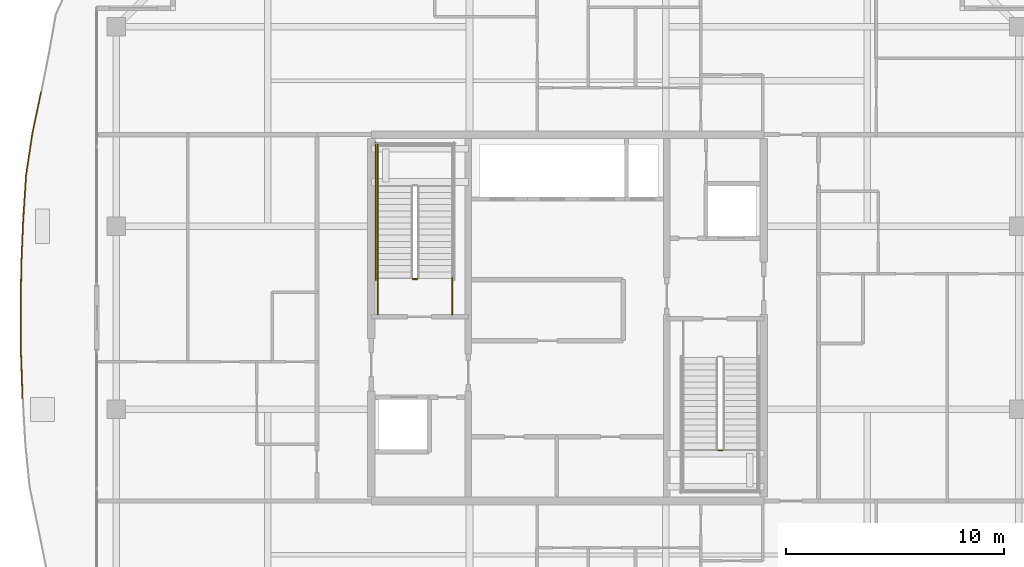
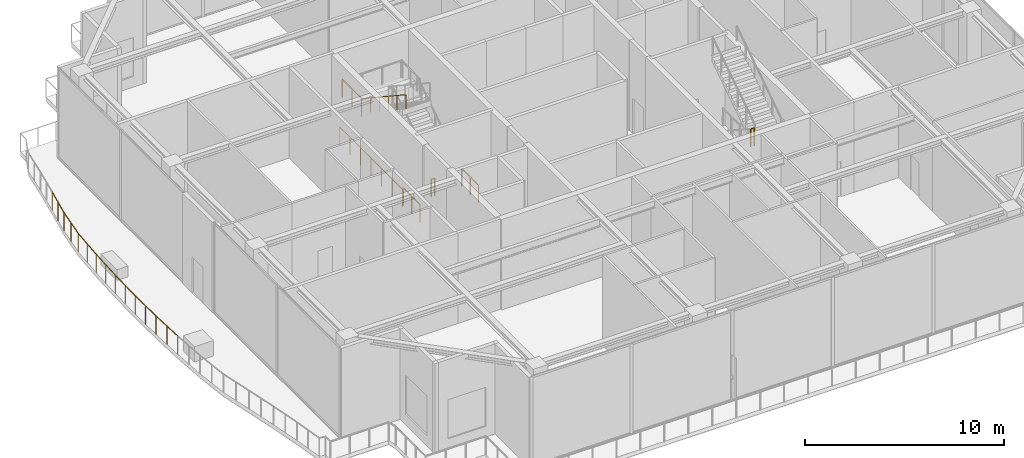
# One storey, part 34 of 38: 8 railings.
"""IFC4 building model written with IfcOpenShell, lengths in metres."""

from ifc_helpers import new_model, si_unit, direction, frame, origin, origin_2d, place, context, subcontext, project, spatial, circle, extrude, material, type_object, element, save


model = new_model("IFC4")

# Units and contexts
model_context = context("Model", 3, precision=1e-05, world=origin(), true_north=direction((0.0, 1.0)))
body_context = subcontext(model_context, "Body", "Model", "MODEL_VIEW")
ifc_project = project(units=[si_unit("LENGTHUNIT", "METRE"), si_unit("AREAUNIT", "SQUARE_METRE"), si_unit("VOLUMEUNIT", "CUBIC_METRE"), si_unit("PLANEANGLEUNIT", "RADIAN"), si_unit("MASSUNIT", "GRAM", prefix="KILO")], contexts=[model_context])

# Site, building, storey
site_placement = place(None, origin())
site = spatial("IfcSite", under=ifc_project, at=site_placement, CompositionType="ELEMENT")
building_placement = place(site_placement, origin())
building = spatial("IfcBuilding", under=site, at=building_placement, Name="Serunith Strait Residences", CompositionType="ELEMENT")
storey_placement = place(building_placement, frame((0.0, 0.0, 353.85009765625)))
storey = spatial("IfcBuildingStorey", under=building, at=storey_placement, Name="L87", CompositionType="ELEMENT", Elevation=353.85009765625)

# Railings
ifc_material_1 = material(Name="Stainless Steel & Laminated Glass Balustrade", Category="steel")
railing_type_1 = type_object("IfcRailingType", Name="RLG-BALC-1150", PredefinedType="BALUSTRADE", material=ifc_material_1)
railing_1_placement = place(storey_placement, frame((7.3984375, 21.45751953125, -0.050048828125)))
element("IfcRailing", 1, at=railing_1_placement, inside=storey, type_object=railing_type_1, Name="L87 Swirling Balcony Perimeter Balustrade 2", PredefinedType="BALUSTRADE", context=body_context, shape_type="SweptSolid", body=[
    extrude(circle(Radius=0.02392578125, at=origin_2d()), frame((0.0, 0.001953125, 1.1259765625), z_axis=(-0.034478598931, 0.999405436355, 0.0), x_axis=(-0.999405436355, -0.034478598931, 0.0)), (0.0, 0.0, 1.0), 2.056640625),
    extrude(circle(Radius=0.02392578125, at=origin_2d()), frame((-0.071044921875, 2.061279296875, 1.1259765625), z_axis=(-0.009433542483, 0.999955503148, 0.0), x_axis=(-0.999955503148, -0.009433542483, 0.0)), (0.0, 0.0, 1.0), 2.06640625),
    extrude(circle(Radius=0.02392578125, at=origin_2d()), frame((-0.090576171875, 4.131591796875, 1.1259765625), z_axis=(0.016404779878, 0.999865432544, 0.0), x_axis=(-0.999865432544, 0.016404779878, 0.0)), (0.0, 0.0, 1.0), 2.064697265625),
    extrude(circle(Radius=0.02392578125, at=origin_2d()), frame((-0.056640625, 6.199951171875, 1.1259765625), z_axis=(0.041576193993, 0.999135336225, 0.0), x_axis=(-0.999135336225, 0.041576193993, 0.0)), (0.0, 0.0, 1.0), 2.05126953125),
    extrude(circle(Radius=0.02392578125, at=origin_2d()), frame((0.029052734375, 8.25341796875, 1.1259765625), z_axis=(0.064660260943, 0.997907335705, 0.0), x_axis=(-0.997907335705, 0.064660260943, 0.0)), (0.0, 0.0, 1.0), 2.02734375),
    extrude(circle(Radius=0.02392578125, at=origin_2d()), frame((0.160400390625, 10.280517578125, 1.1259765625), z_axis=(0.148836942878, 0.988861751932, 0.0), x_axis=(-0.988861751932, 0.148836942878, 0.0)), (0.0, 0.0, 1.0), 1.9677734375),
    extrude(circle(Radius=0.02392578125, at=origin_2d()), frame((0.4541015625, 12.230224609375, 1.1259765625), z_axis=(0.205991052104, 0.97855387509, 0.0), x_axis=(-0.97855387509, 0.205991052104, 0.0)), (0.0, 0.0, 1.0), 1.89599609375),
    extrude(circle(Radius=0.02099609375, at=origin_2d()), origin(), (0.0, 0.0, 1.0), 1.099853515625),
    extrude(circle(Radius=0.02099609375, at=origin_2d()), frame((-0.03564453125, 1.02978515625, 0.0)), (0.0, 0.0, 1.0), 1.099853515625),
    extrude(circle(Radius=0.02099609375, at=origin_2d()), frame((-0.071044921875, 2.059326171875, 0.0)), (0.0, 0.0, 1.0), 1.099853515625),
    extrude(circle(Radius=0.02099609375, at=origin_2d()), frame((-0.080810546875, 3.094482421875, 0.0)), (0.0, 0.0, 1.0), 1.099853515625),
    extrude(circle(Radius=0.02099609375, at=origin_2d()), frame((-0.090576171875, 4.129638671875, 0.0)), (0.0, 0.0, 1.0), 1.099853515625),
    extrude(circle(Radius=0.02099609375, at=origin_2d()), frame((-0.07373046875, 5.163818359375, 0.0)), (0.0, 0.0, 1.0), 1.099853515625),
    extrude(circle(Radius=0.02099609375, at=origin_2d()), frame((-0.056640625, 6.197998046875, 0.0)), (0.0, 0.0, 1.0), 1.099853515625),
    extrude(circle(Radius=0.02099609375, at=origin_2d()), frame((-0.013916015625, 7.224609375, 0.0)), (0.0, 0.0, 1.0), 1.099853515625),
    extrude(circle(Radius=0.02099609375, at=origin_2d()), frame((0.02880859375, 8.25146484375, 0.0)), (0.0, 0.0, 1.0), 1.099853515625),
    extrude(circle(Radius=0.02099609375, at=origin_2d()), frame((0.094482421875, 9.26513671875, 0.0)), (0.0, 0.0, 1.0), 1.099853515625),
    extrude(circle(Radius=0.02099609375, at=origin_2d()), frame((0.16015625, 10.278564453125, 0.0)), (0.0, 0.0, 1.0), 1.099853515625),
    extrude(circle(Radius=0.02099609375, at=origin_2d()), frame((0.306884765625, 11.25341796875, 0.0)), (0.0, 0.0, 1.0), 1.099853515625),
    extrude(circle(Radius=0.02099609375, at=origin_2d()), frame((0.45361328125, 12.228271484375, 0.0)), (0.0, 0.0, 1.0), 1.099853515625),
    extrude(circle(Radius=0.02099609375, at=origin_2d()), frame((0.6494140625, 13.15771484375, 0.0)), (0.0, 0.0, 1.0), 1.099853515625),
    extrude(circle(Radius=0.02099609375, at=origin_2d()), frame((0.844970703125, 14.08740234375, 0.0)), (0.0, 0.0, 1.0), 1.099853515625),
])
ifc_material_2 = material(Name="Brushed stainless steel 316L", Category="steel")
railing_type_2 = type_object("IfcRailingType", Name="RLG-STAIR-GUARD", PredefinedType="BALUSTRADE", material=ifc_material_2)
railing_2_placement = place(storey_placement, frame((23.699951171875, 31.22998046875, 2.949951171875)))
element("IfcRailing", 2, at=railing_2_placement, inside=storey, type_object=railing_type_2, Name="L87 ST-1 stair guard 4", PredefinedType="BALUSTRADE", context=body_context, shape_type="SweptSolid", body=[
    extrude(circle(Radius=0.02392578125, at=origin_2d()), frame((0.0, 0.001953125, 1.076171875), z_axis=(0.0, 1.0, 0.0), x_axis=(-1.0, 0.0, 0.0)), (0.0, 0.0, 1.0), 1.916015625),
    extrude(circle(Radius=0.02099609375, at=origin_2d()), origin(), (0.0, 0.0, 1.0), 1.050048828125),
    extrude(circle(Radius=0.02099609375, at=origin_2d()), frame((0.0, 0.9599609375, 0.0)), (0.0, 0.0, 1.0), 1.050048828125),
    extrude(circle(Radius=0.02099609375, at=origin_2d()), frame((0.0, 1.919921875, 0.0)), (0.0, 0.0, 1.0), 1.050048828125),
])
railing_3_placement = place(storey_placement, frame((25.5, 26.97998046875, 0.0)))
element("IfcRailing", 3, at=railing_3_placement, inside=storey, type_object=railing_type_2, Name="L87 ST-1 stair guard 7", PredefinedType="BALUSTRADE", context=body_context, shape_type="SweptSolid", body=[
    extrude(circle(Radius=0.02392578125, at=origin_2d()), frame((-0.001953125, 0.0, 1.076171875), z_axis=(-1.0, 0.0, 0.0), x_axis=(0.0, -1.0, 0.0)), (0.0, 0.0, 1.0), 0.196044921875),
    extrude(circle(Radius=0.02099609375, at=origin_2d()), origin(), (0.0, 0.0, 1.0), 1.050048828125),
    extrude(circle(Radius=0.02099609375, at=origin_2d()), frame((-0.199951171875, 0.0, 0.0)), (0.0, 0.0, 1.0), 1.050048828125),
])
for number, where, name in (
    (4, (27.10009765625, 25.35009765625, 0.0), "L87 ST-1 stair guard 8"),
    (5, (23.699951171875, 25.35009765625, 0.0), "L87 ST-1 stair guard 9"),
):
    element("IfcRailing", number, at=place(storey_placement, frame(where)), inside=storey, type_object=railing_type_2, Name=name, PredefinedType="BALUSTRADE", context=body_context, shape_type="SweptSolid", body=[
        extrude(circle(Radius=0.02392578125, at=origin_2d()), frame((0.0, 0.001953125, 1.076171875), z_axis=(0.0, 1.0, 0.0), x_axis=(-1.0, 0.0, 0.0)), (0.0, 0.0, 1.0), 1.676025390625),
        extrude(circle(Radius=0.02099609375, at=origin_2d()), origin(), (0.0, 0.0, 1.0), 1.050048828125),
        extrude(circle(Radius=0.02099609375, at=origin_2d()), frame((0.0, 0.83984375, 0.0)), (0.0, 0.0, 1.0), 1.050048828125),
        extrude(circle(Radius=0.02099609375, at=origin_2d()), frame((0.0, 1.679931640625, 0.0)), (0.0, 0.0, 1.0), 1.050048828125),
    ])
railing_4_placement = place(storey_placement, frame((23.60009765625, 26.929931640625, 0.0)))
element("IfcRailing", 6, at=railing_4_placement, inside=storey, type_object=railing_type_2, Name="L87 ST-1 stair guard 11", PredefinedType="BALUSTRADE", context=body_context, shape_type="SweptSolid", body=[
    extrude(circle(Radius=0.02392578125, at=origin_2d()), frame((0.0, 0.001953125, 1.076171875), z_axis=(0.0, 1.0, 0.0), x_axis=(-1.0, 0.0, 0.0)), (0.0, 0.0, 1.0), 6.316162109375),
    extrude(circle(Radius=0.02099609375, at=origin_2d()), origin(), (0.0, 0.0, 1.0), 1.050048828125),
    extrude(circle(Radius=0.02099609375, at=origin_2d()), frame((0.0, 1.05322265625, 0.0)), (0.0, 0.0, 1.0), 1.050048828125),
    extrude(circle(Radius=0.02099609375, at=origin_2d()), frame((0.0, 2.106689453125, 0.0)), (0.0, 0.0, 1.0), 1.050048828125),
    extrude(circle(Radius=0.02099609375, at=origin_2d()), frame((0.0, 3.16015625, 0.0)), (0.0, 0.0, 1.0), 1.050048828125),
    extrude(circle(Radius=0.02099609375, at=origin_2d()), frame((0.0, 4.21337890625, 0.0)), (0.0, 0.0, 1.0), 1.050048828125),
    extrude(circle(Radius=0.02099609375, at=origin_2d()), frame((0.0, 5.2666015625, 0.0)), (0.0, 0.0, 1.0), 1.050048828125),
    extrude(circle(Radius=0.02099609375, at=origin_2d()), frame((0.0, 6.320068359375, 0.0)), (0.0, 0.0, 1.0), 1.050048828125),
])
railing_5_placement = place(storey_placement, frame((39.300048828125, 19.1201171875, 2.949951171875)))
element("IfcRailing", 7, at=railing_5_placement, inside=storey, type_object=railing_type_2, Name="L87 ST-2 stair guard 2", PredefinedType="BALUSTRADE", context=body_context, shape_type="SweptSolid", body=[
    extrude(circle(Radius=0.02392578125, at=origin_2d()), frame((0.001953125, 0.0, 1.076171875), z_axis=(1.0, 0.0, 0.0), x_axis=(0.0, 1.0, 0.0)), (0.0, 0.0, 1.0), 0.196044921875),
    extrude(circle(Radius=0.02099609375, at=origin_2d()), origin(), (0.0, 0.0, 1.0), 1.050048828125),
    extrude(circle(Radius=0.02099609375, at=origin_2d()), frame((0.199951171875, 0.0, 0.0)), (0.0, 0.0, 1.0), 1.050048828125),
])
railing_type_3 = type_object("IfcRailingType", Name="RLG-STAIR-HR", PredefinedType="HANDRAIL", material=ifc_material_2)
railing_6_placement = place(storey_placement, frame((23.699951171875, 31.22998046875, 3.13427734375)))
element("IfcRailing", 8, at=railing_6_placement, inside=storey, type_object=railing_type_3, Name="L87 ST-1 stair handrail 2", PredefinedType="HANDRAIL", context=body_context, shape_type="SweptSolid", body=[
    extrude(circle(Radius=0.02392578125, at=origin_2d()), frame((0.0, -0.001708984375, 0.876953125), z_axis=(0.0, -0.834755773989, 0.550620375388), x_axis=(1.0, 0.0, 0.0)), (0.0, 0.0, 1.0), 5.36279296875),
    extrude(circle(Radius=0.02099609375, at=origin_2d()), origin(), (0.0, 0.0, 1.0), 0.849853515625),
    extrude(circle(Radius=0.02099609375, at=origin_2d()), frame((0.0, -0.89599609375, 0.591064453125)), (0.0, 0.0, 1.0), 0.849853515625),
    extrude(circle(Radius=0.02099609375, at=origin_2d()), frame((0.0, -1.7919921875, 1.18212890625)), (0.0, 0.0, 1.0), 0.849853515625),
    extrude(circle(Radius=0.02099609375, at=origin_2d()), frame((0.0, -2.68798828125, 1.77294921875)), (0.0, 0.0, 1.0), 0.849853515625),
    extrude(circle(Radius=0.02099609375, at=origin_2d()), frame((0.0, -3.583984375, 2.364013671875)), (0.0, 0.0, 1.0), 0.849853515625),
    extrude(circle(Radius=0.02099609375, at=origin_2d()), frame((0.0, -4.47998046875, 2.955078125)), (0.0, 0.0, 1.0), 0.849853515625),
])

save(model, "model.ifc")
